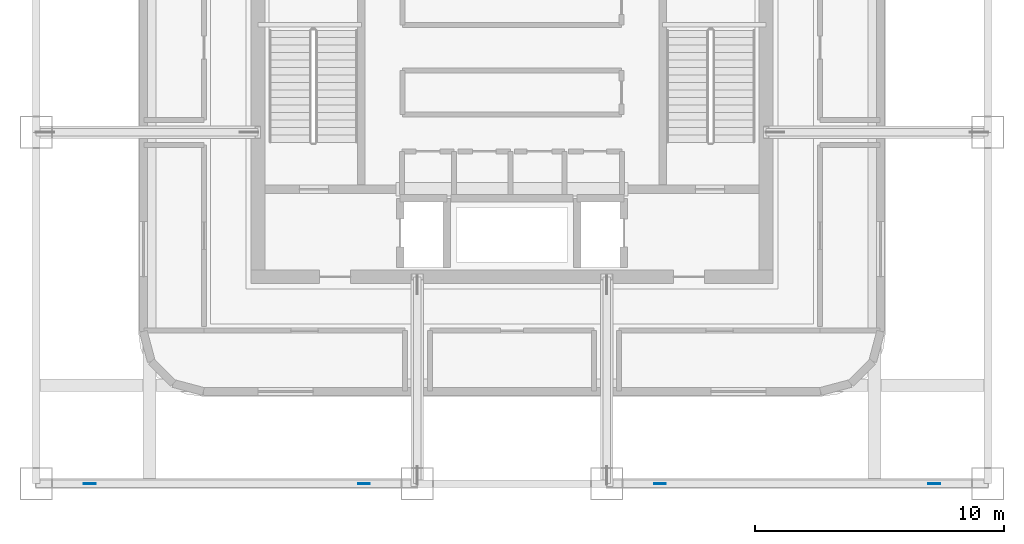
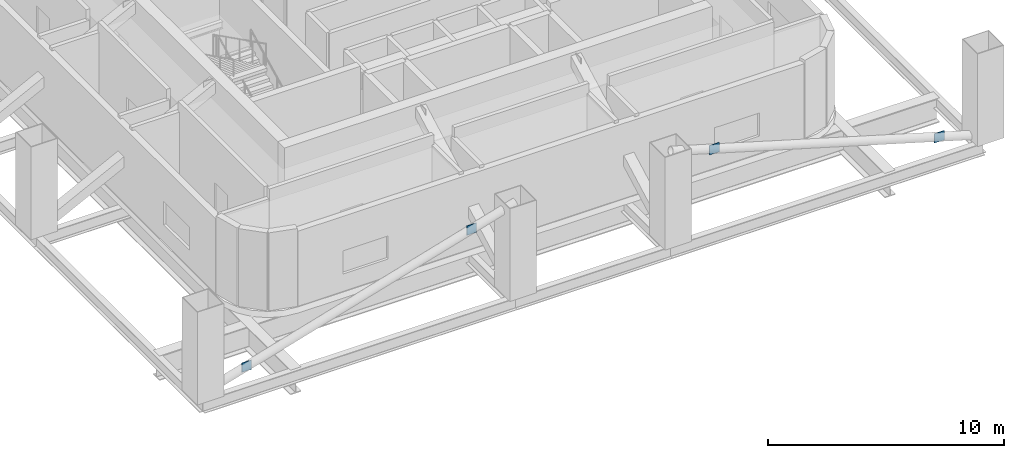
# One storey, part 2 of 8: 4 plates.
"""IFC4 building model written with IfcOpenShell, lengths in metres."""

from ifc_helpers import new_model, si_unit, direction, frame, origin, origin_2d, place, context, subcontext, project, spatial, rectangle, extrude, material, layer, layer_set, type_object, element, save


model = new_model("IFC4")

# Units and contexts
model_context = context("Model", 3, precision=1e-05, world=origin(), true_north=direction((0.0, 1.0)))
body_context = subcontext(model_context, "Body", "Model", "MODEL_VIEW")
ifc_project = project(units=[si_unit("LENGTHUNIT", "METRE"), si_unit("AREAUNIT", "SQUARE_METRE"), si_unit("VOLUMEUNIT", "CUBIC_METRE"), si_unit("PLANEANGLEUNIT", "RADIAN"), si_unit("MASSUNIT", "GRAM", prefix="KILO")], contexts=[model_context])

# Site, building, storey
site_placement = place(None, origin())
site = spatial("IfcSite", under=ifc_project, at=site_placement, CompositionType="ELEMENT")
building_placement = place(site_placement, origin())
building = spatial("IfcBuilding", under=site, at=building_placement, Name="Punatoya Terracotta Tower", CompositionType="ELEMENT")
storey_placement = place(building_placement, frame((0.0, 0.0, 241.800048828125)))
storey = spatial("IfcBuildingStorey", under=building, at=storey_placement, Name="L57", CompositionType="ELEMENT", Elevation=241.800048828125)

# Plates
ifc_material = material(Name="Steel S460", Category="steel")
ifc_layer = layer(ifc_material, 0.031982421875)
ifc_layer_set = layer_set([ifc_layer], Name="Steel S460")
plate_type = type_object("IfcPlateType", Name="PLT-END-32", PredefinedType="USERDEFINED", material=ifc_layer_set)
for number, where, z_axis, x_axis, name in (
    (1, (-16.9580078125, -17.5, 0.409912109375), (0.0, 0.0, 1.0), (1.0, 0.0, 0.0), "L57 Ring Strut NST-1 End Plate 1"),
    (2, (-5.94189453125, -17.5, 3.64990234375), (0.0, 0.0, 1.0), (1.0, 0.0, 0.0), "L57 Ring Strut NST-1 End Plate 2"),
    (3, (5.94189453125, -17.5, 3.64990234375), (0.0, 0.0, 1.0), (1.0, 0.0, 0.0), "L57 Ring Strut NST-2 End Plate 1"),
    (4, (16.9580078125, -17.5, 0.409912109375), (0.0, 0.0, 1.0), (1.0, 0.0, 0.0), "L57 Ring Strut NST-2 End Plate 2"),
):
    element("IfcPlate", number, at=place(storey_placement, frame(where, z_axis=z_axis, x_axis=x_axis)), inside=storey, type_object=plate_type, Name=name, ObjectType="FLANGE_PLATE", PredefinedType="USERDEFINED", context=body_context, shape_type="SweptSolid", body=[
        extrude(rectangle(XDim=0.47998046875, YDim=0.031982421875, at=origin_2d()), origin(), (0.0, 0.0, 1.0), 0.47998046875),
    ])

save(model, "model.ifc")
